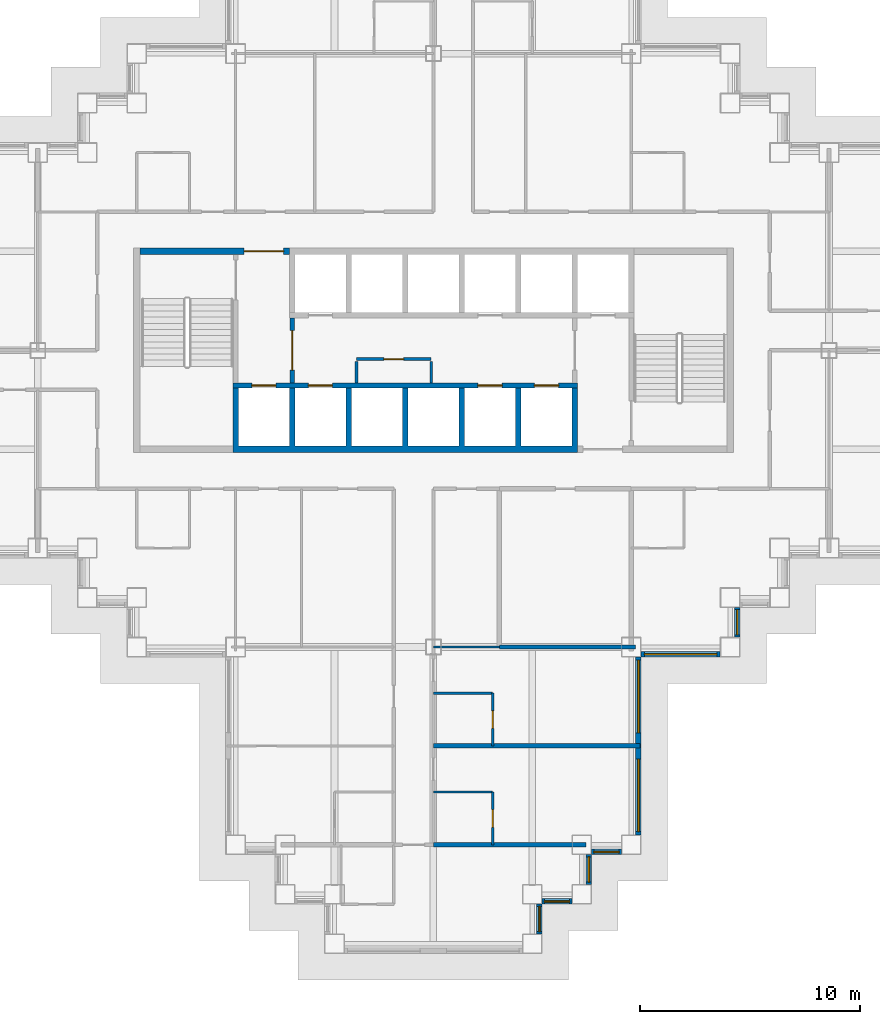
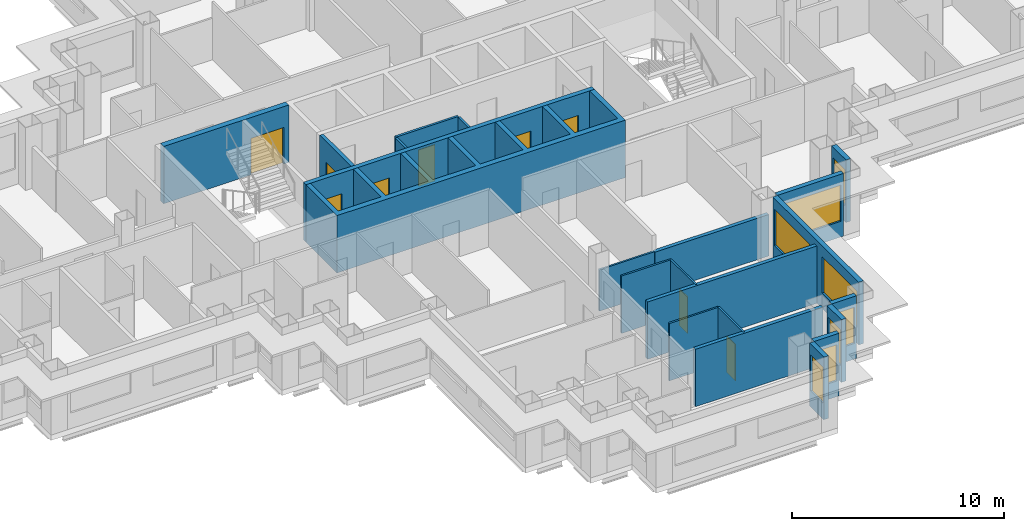
# One storey, part 5 of 15: 22 walls, 9 doors, 8 windows, 17 openings.
"""IFC4 building model written with IfcOpenShell, lengths in metres."""

from ifc_helpers import new_model, si_unit, direction, frame, frame_2d, origin, place, context, subcontext, project, spatial, polyline, rectangle, outline, extrude, material, layer, layer_set, type_object, element, fill, save


model = new_model("IFC4")

# Units and contexts
model_context = context("Model", 3, precision=1e-05, world=origin(), true_north=direction((0.0, 1.0)))
body_context = subcontext(model_context, "Body", "Model", "MODEL_VIEW")
ifc_project = project(units=[si_unit("LENGTHUNIT", "METRE"), si_unit("AREAUNIT", "SQUARE_METRE"), si_unit("VOLUMEUNIT", "CUBIC_METRE"), si_unit("PLANEANGLEUNIT", "RADIAN"), si_unit("MASSUNIT", "GRAM", prefix="KILO")], contexts=[model_context])

# Site, building, storey
site_placement = place(None, origin())
site = spatial("IfcSite", under=ifc_project, at=site_placement, CompositionType="ELEMENT")
building_placement = place(site_placement, origin())
building = spatial("IfcBuilding", under=site, at=building_placement, Name="Caravel Reach Hotel and Residences", CompositionType="ELEMENT")
storey_placement = place(building_placement, frame((0.0, 0.0, 104.39990234375)))
storey = spatial("IfcBuildingStorey", under=building, at=storey_placement, Name="L25", CompositionType="ELEMENT", Elevation=104.39990234375)

# Walls
ifc_material_1 = material(Name="Gypsum board on steel stud", Category="steel")
ifc_layer_1 = layer(ifc_material_1, 0.10009765625)
ifc_layer_set_1 = layer_set([ifc_layer_1], Name="Bathroom pod wall 100 mm")
wall_type_1 = type_object("IfcWallType", Name="Bathroom pod wall 100 mm", PredefinedType="PARTITIONING", material=ifc_layer_set_1)
for number, where, z_axis, x_axis, name in (
    (1, (31.5, 11.39990234375, 0.0), (0.0, 0.0, 1.0), (1.0, 0.0, 0.0), "L25 wall w082"),
    (2, (31.5, 6.89990234375, 0.0), (0.0, 0.0, 1.0), (1.0, 0.0, 0.0), "L25 wall w096"),
):
    element("IfcWall", number, at=place(storey_placement, frame(where, z_axis=z_axis, x_axis=x_axis)), inside=storey, type_object=wall_type_1, Name=name, PredefinedType="PARTITIONING", context=body_context, shape_type="SweptSolid", body=[
        extrude(rectangle(XDim=2.699951171875, YDim=0.10009765625, at=frame_2d((1.35009765625, 0.0))), origin(), (0.0, 0.0, 1.0), 3.300048828125),
    ])

# Wall, opening, door
wall_1_placement = place(storey_placement, frame((34.199951171875, 9.0, 0.0), z_axis=(0.0, 0.0, 1.0), x_axis=(0.0, 1.0, 0.0)))
wall_1 = element("IfcWall", 3, at=wall_1_placement, inside=storey, type_object=wall_type_1, Name="L25 wall w108", PredefinedType="PARTITIONING", context=body_context, shape_type="SweptSolid", body=[
    extrude(rectangle(XDim=2.39990234375, YDim=0.10009765625, at=frame_2d((1.199951171875, 0.0))), origin(), (0.0, 0.0, 1.0), 3.300048828125),
])
opening_1_placement = place(wall_1_placement, frame((0.800048828125, 0.0, 0.0)))
opening_1 = element("IfcOpeningElement", 4, at=opening_1_placement, cuts=wall_1, Name="Opening D25-036", PredefinedType="OPENING", context=body_context, shape_type="SweptSolid", body=[
    extrude(rectangle(XDim=0.800048828125, YDim=2.10009765625, at=frame_2d((0.39990234375, 1.050048828125))), frame((0.0, 0.06005859375, 0.0), z_axis=(0.0, -1.0, 0.0), x_axis=(1.0, 0.0, 0.0)), (0.0, 0.0, 1.0), 0.1201171875),
])
ifc_material_2 = material(Name="Timber and steel door leaf", Category="steel")
door_type_1 = type_object("IfcDoorType", Name="Bathroom door 800 x 2100", OperationType="SINGLE_SWING_LEFT", PredefinedType="DOOR", material=ifc_material_2)
door_1_placement = place(opening_1_placement, origin())
door_1 = element("IfcDoor", 5, at=door_1_placement, inside=storey, type_object=door_type_1, Name="door D25-036", OperationType="SINGLE_SWING_LEFT", OverallHeight=2.10009765625, OverallWidth=0.800048828125, PredefinedType="DOOR", context=body_context, shape_type="SweptSolid", body=[
    extrude(rectangle(XDim=0.800048828125, YDim=2.10009765625, at=frame_2d((0.39990234375, 1.050048828125))), frame((0.0, 0.02490234375, 0.0), z_axis=(0.0, -1.0, 0.0), x_axis=(1.0, 0.0, 0.0)), (0.0, 0.0, 1.0), 0.050048828125),
])
fill(opening_1, door_1)

wall_2_placement = place(storey_placement, frame((34.199951171875, 4.5, 0.0), z_axis=(0.0, 0.0, 1.0), x_axis=(0.0, 1.0, 0.0)))
wall_2 = element("IfcWall", 6, at=wall_2_placement, inside=storey, type_object=wall_type_1, Name="L25 wall w109", PredefinedType="PARTITIONING", context=body_context, shape_type="SweptSolid", body=[
    extrude(rectangle(XDim=2.39990234375, YDim=0.10009765625, at=frame_2d((1.199951171875, 0.0))), origin(), (0.0, 0.0, 1.0), 3.300048828125),
])
opening_2_placement = place(wall_2_placement, frame((0.800048828125, 0.0, 0.0)))
opening_2 = element("IfcOpeningElement", 7, at=opening_2_placement, cuts=wall_2, Name="Opening D25-038", PredefinedType="OPENING", context=body_context, shape_type="SweptSolid", body=[
    extrude(rectangle(XDim=0.800048828125, YDim=2.10009765625, at=frame_2d((0.39990234375, 1.050048828125))), frame((0.0, 0.06005859375, 0.0), z_axis=(0.0, -1.0, 0.0), x_axis=(1.0, 0.0, 0.0)), (0.0, 0.0, 1.0), 0.1201171875),
])
door_2_placement = place(opening_2_placement, origin())
door_2 = element("IfcDoor", 8, at=door_2_placement, inside=storey, type_object=door_type_1, Name="door D25-038", OperationType="SINGLE_SWING_RIGHT", OverallHeight=2.10009765625, OverallWidth=0.800048828125, PredefinedType="DOOR", context=body_context, shape_type="SweptSolid", body=[
    extrude(rectangle(XDim=0.800048828125, YDim=2.10009765625, at=frame_2d((0.39990234375, 1.050048828125))), frame((0.0, 0.02490234375, 0.0), z_axis=(0.0, -1.0, 0.0), x_axis=(1.0, 0.0, 0.0)), (0.0, 0.0, 1.0), 0.050048828125),
])
fill(opening_2, door_2)

# Wall
ifc_material_3 = material(Name="Autoclaved aerated block wall")
ifc_layer_2 = layer(ifc_material_3, 0.199951171875)
ifc_layer_set_2 = layer_set([ifc_layer_2], Name="Compartment wall 200 mm EI 120")
wall_type_2 = type_object("IfcWallType", Name="Compartment wall 200 mm EI 120", PredefinedType="PARTITIONING", material=ifc_layer_set_2)
wall_3_placement = place(storey_placement, frame((34.5, 13.5, 0.0), z_axis=(0.0, 0.0, 1.0), x_axis=(1.0, 0.0, 0.0)))
element("IfcWall", 9, at=wall_3_placement, inside=storey, type_object=wall_type_2, Name="L25 wall w117", PredefinedType="PARTITIONING", context=body_context, shape_type="SweptSolid", body=[
    extrude(rectangle(XDim=6.18994140625, YDim=0.199951171875, at=frame_2d((3.094970703125, 0.0))), origin(), (0.0, 0.0, 1.0), 2.380126953125),
])

# Wall, opening, door
ifc_material_4 = material(Name="Concrete C60", Category="concrete")
ifc_layer_3 = layer(ifc_material_4, 0.300048828125)
ifc_layer_set_3 = layer_set([ifc_layer_3], Name="Core wall 300 mm EI 120")
wall_type_3 = type_object("IfcWallType", Name="Core wall 300 mm EI 120", PredefinedType="SHEAR", material=ifc_layer_set_3)
wall_4_placement = place(storey_placement, frame((18.14990234375, 31.5, 0.0), z_axis=(0.0, 0.0, 1.0), x_axis=(1.0, 0.0, 0.0)))
wall_4 = element("IfcWall", 10, at=wall_4_placement, inside=storey, type_object=wall_type_3, Name="L25 core wall N1", PredefinedType="SHEAR", context=body_context, shape_type="SweptSolid", body=[
    extrude(rectangle(XDim=6.796630859375, YDim=0.300048828125, at=frame_2d((3.3984375, 0.0))), origin(), (0.0, 0.0, 1.0), 3.300048828125),
])
opening_3_placement = place(wall_4_placement, frame((4.735595703125, 0.0, 0.0)))
opening_3 = element("IfcOpeningElement", 11, at=opening_3_placement, cuts=wall_4, Name="Opening D25-013", PredefinedType="OPENING", context=body_context, shape_type="SweptSolid", body=[
    extrude(rectangle(XDim=1.800048828125, YDim=2.10009765625, at=frame_2d((0.89990234375, 1.050048828125))), frame((0.0, 0.159912109375, 0.0), z_axis=(0.0, -1.0, 0.0), x_axis=(1.0, 0.0, 0.0)), (0.0, 0.0, 1.0), 0.320068359375),
])
ifc_material_5 = material(Name="Steel fire door leaf", Category="steel")
door_type_2 = type_object("IfcDoorType", Name="Fire lobby door pair 1800 x 2100 EI 90", OperationType="DOUBLE_DOOR_SINGLE_SWING", PredefinedType="DOOR", material=ifc_material_5)
door_3_placement = place(opening_3_placement, origin())
door_3 = element("IfcDoor", 12, at=door_3_placement, inside=storey, type_object=door_type_2, Name="lobby N door pair to corridor", OperationType="DOUBLE_DOOR_SINGLE_SWING", OverallHeight=2.10009765625, OverallWidth=1.800048828125, PredefinedType="DOOR", context=body_context, shape_type="SweptSolid", body=[
    extrude(rectangle(XDim=1.800048828125, YDim=2.10009765625, at=frame_2d((0.89990234375, 1.050048828125))), frame((0.0, 0.02490234375, 0.0), z_axis=(0.0, -1.0, 0.0), x_axis=(1.0, 0.0, 0.0)), (0.0, 0.0, 1.0), 0.050048828125),
])
fill(opening_3, door_3)

# Wall, opening, window
ifc_material_6 = material(Name="Insulated rainscreen wall, aluminium cladding", Category="aluminium")
ifc_layer_4 = layer(ifc_material_6, 0.25)
ifc_layer_set_4 = layer_set([ifc_layer_4], Name="EW1 Tower rainscreen wall")
wall_type_4 = type_object("IfcWallType", Name="EW1 Tower rainscreen wall", PredefinedType="SOLIDWALL", material=ifc_layer_set_4)
wall_5_placement = place(storey_placement, frame((36.324951171875, 0.449951171875, 0.0), z_axis=(0.0, 0.0, 1.0), x_axis=(0.0, 1.0, 0.0)))
wall_5 = element("IfcWall", 13, at=wall_5_placement, inside=storey, type_object=wall_type_4, Name="External wall L25 E6.1", PredefinedType="SOLIDWALL", context=body_context, shape_type="SweptSolid", body=[
    extrude(rectangle(XDim=1.35009765625, YDim=0.25, at=frame_2d((0.675048828125, 0.0))), origin(), (0.0, 0.0, 1.0), 3.60009765625),
])
opening_4_placement = place(wall_5_placement, frame((0.10009765625, 0.0, 0.89990234375)))
opening_4 = element("IfcOpeningElement", 14, at=opening_4_placement, cuts=wall_5, Name="Opening WN8", PredefinedType="OPENING", context=body_context, shape_type="SweptSolid", body=[
    extrude(rectangle(XDim=1.14990234375, YDim=2.080078125, at=frame_2d((0.574951171875, 1.0400390625))), frame((0.0, 0.135009765625, 0.0), z_axis=(0.0, -1.0, 0.0), x_axis=(1.0, 0.0, 0.0)), (0.0, 0.0, 1.0), 0.27001953125),
])
ifc_material_7 = material(Name="Dark low-e glazing in black aluminium frame", Category="aluminium")
window_type_1 = type_object("IfcWindowType", Name="Hotel suite corner window 1150 x 2080", PartitioningType="SINGLE_PANEL", PredefinedType="WINDOW", material=ifc_material_7)
window_1_placement = place(opening_4_placement, origin())
window_1 = element("IfcWindow", 15, at=window_1_placement, inside=storey, type_object=window_type_1, Name="Window L25 E6.1.1", OverallHeight=2.080078125, OverallWidth=1.14990234375, PartitioningType="SINGLE_PANEL", PredefinedType="WINDOW", context=body_context, shape_type="SweptSolid", body=[
    extrude(rectangle(XDim=1.14990234375, YDim=2.080078125, at=frame_2d((0.574951171875, 1.0400390625))), frame((0.0, 0.030029296875, 0.0), z_axis=(0.0, -1.0, 0.0), x_axis=(1.0, 0.0, 0.0)), (0.0, 0.0, 1.0), 0.06005859375),
])
fill(opening_4, window_1)

wall_6_placement = place(storey_placement, frame((36.449951171875, 1.925048828125, 0.0), z_axis=(0.0, 0.0, 1.0), x_axis=(1.0, 0.0, 0.0)))
wall_6 = element("IfcWall", 16, at=wall_6_placement, inside=storey, type_object=wall_type_4, Name="External wall L25 S7.1", PredefinedType="SOLIDWALL", context=body_context, shape_type="SweptSolid", body=[
    extrude(rectangle(XDim=1.35009765625, YDim=0.25, at=frame_2d((0.675048828125, 0.0))), origin(), (0.0, 0.0, 1.0), 3.60009765625),
])
opening_5_placement = place(wall_6_placement, frame((0.10009765625, 0.0, 0.89990234375)))
opening_5 = element("IfcOpeningElement", 17, at=opening_5_placement, cuts=wall_6, Name="Opening WN8", PredefinedType="OPENING", context=body_context, shape_type="SweptSolid", body=[
    extrude(rectangle(XDim=1.14990234375, YDim=2.080078125, at=frame_2d((0.574951171875, 1.0400390625))), frame((0.0, 0.135009765625, 0.0), z_axis=(0.0, -1.0, 0.0), x_axis=(1.0, 0.0, 0.0)), (0.0, 0.0, 1.0), 0.27001953125),
])
window_2_placement = place(opening_5_placement, origin())
window_2 = element("IfcWindow", 18, at=window_2_placement, inside=storey, type_object=window_type_1, Name="Window L25 S7.1.1", OverallHeight=2.080078125, OverallWidth=1.14990234375, PartitioningType="SINGLE_PANEL", PredefinedType="WINDOW", context=body_context, shape_type="SweptSolid", body=[
    extrude(rectangle(XDim=1.14990234375, YDim=2.080078125, at=frame_2d((0.574951171875, 1.0400390625))), frame((0.0, 0.030029296875, 0.0), z_axis=(0.0, -1.0, 0.0), x_axis=(1.0, 0.0, 0.0)), (0.0, 0.0, 1.0), 0.06005859375),
])
fill(opening_5, window_2)

wall_7_placement = place(storey_placement, frame((38.574951171875, 2.699951171875, 0.0), z_axis=(0.0, 0.0, 1.0), x_axis=(0.0, 1.0, 0.0)))
wall_7 = element("IfcWall", 19, at=wall_7_placement, inside=storey, type_object=wall_type_4, Name="External wall L25 E8.1", PredefinedType="SOLIDWALL", context=body_context, shape_type="SweptSolid", body=[
    extrude(rectangle(XDim=1.35009765625, YDim=0.25, at=frame_2d((0.675048828125, 0.0))), origin(), (0.0, 0.0, 1.0), 3.60009765625),
])
opening_6_placement = place(wall_7_placement, frame((0.10009765625, 0.0, 0.89990234375)))
opening_6 = element("IfcOpeningElement", 20, at=opening_6_placement, cuts=wall_7, Name="Opening WN8", PredefinedType="OPENING", context=body_context, shape_type="SweptSolid", body=[
    extrude(rectangle(XDim=1.14990234375, YDim=2.080078125, at=frame_2d((0.574951171875, 1.0400390625))), frame((0.0, 0.135009765625, 0.0), z_axis=(0.0, -1.0, 0.0), x_axis=(1.0, 0.0, 0.0)), (0.0, 0.0, 1.0), 0.27001953125),
])
window_3_placement = place(opening_6_placement, origin())
window_3 = element("IfcWindow", 21, at=window_3_placement, inside=storey, type_object=window_type_1, Name="Window L25 E8.1.1", OverallHeight=2.080078125, OverallWidth=1.14990234375, PartitioningType="SINGLE_PANEL", PredefinedType="WINDOW", context=body_context, shape_type="SweptSolid", body=[
    extrude(rectangle(XDim=1.14990234375, YDim=2.080078125, at=frame_2d((0.574951171875, 1.0400390625))), frame((0.0, 0.030029296875, 0.0), z_axis=(0.0, -1.0, 0.0), x_axis=(1.0, 0.0, 0.0)), (0.0, 0.0, 1.0), 0.06005859375),
])
fill(opening_6, window_3)

wall_8_placement = place(storey_placement, frame((38.699951171875, 4.175048828125, 0.0), z_axis=(0.0, 0.0, 1.0), x_axis=(1.0, 0.0, 0.0)))
wall_8 = element("IfcWall", 22, at=wall_8_placement, inside=storey, type_object=wall_type_4, Name="External wall L25 S9.1", PredefinedType="SOLIDWALL", context=body_context, shape_type="SweptSolid", body=[
    extrude(rectangle(XDim=1.35009765625, YDim=0.25, at=frame_2d((0.675048828125, 0.0))), origin(), (0.0, 0.0, 1.0), 3.60009765625),
])
opening_7_placement = place(wall_8_placement, frame((0.10009765625, 0.0, 0.89990234375)))
opening_7 = element("IfcOpeningElement", 23, at=opening_7_placement, cuts=wall_8, Name="Opening WN8", PredefinedType="OPENING", context=body_context, shape_type="SweptSolid", body=[
    extrude(rectangle(XDim=1.14990234375, YDim=2.080078125, at=frame_2d((0.574951171875, 1.0400390625))), frame((0.0, 0.135009765625, 0.0), z_axis=(0.0, -1.0, 0.0), x_axis=(1.0, 0.0, 0.0)), (0.0, 0.0, 1.0), 0.27001953125),
])
window_4_placement = place(opening_7_placement, origin())
window_4 = element("IfcWindow", 24, at=window_4_placement, inside=storey, type_object=window_type_1, Name="Window L25 S9.1.1", OverallHeight=2.080078125, OverallWidth=1.14990234375, PartitioningType="SINGLE_PANEL", PredefinedType="WINDOW", context=body_context, shape_type="SweptSolid", body=[
    extrude(rectangle(XDim=1.14990234375, YDim=2.080078125, at=frame_2d((0.574951171875, 1.0400390625))), frame((0.0, 0.030029296875, 0.0), z_axis=(0.0, -1.0, 0.0), x_axis=(1.0, 0.0, 0.0)), (0.0, 0.0, 1.0), 0.06005859375),
])
fill(opening_7, window_4)

# Wall, openings, windows
wall_9_placement = place(storey_placement, frame((40.824951171875, 4.949951171875, 0.0), z_axis=(0.0, 0.0, 1.0), x_axis=(0.0, 1.0, 0.0)))
wall_9 = element("IfcWall", 25, at=wall_9_placement, inside=storey, type_object=wall_type_4, Name="External wall L25 E10.1", PredefinedType="SOLIDWALL", context=body_context, shape_type="SweptSolid", body=[
    extrude(rectangle(XDim=8.10009765625, YDim=0.25, at=frame_2d((4.050048828125, 0.0))), origin(), (0.0, 0.0, 1.0), 3.60009765625),
])
opening_8_placement = place(wall_9_placement, frame((0.14990234375, 0.0, 0.89990234375)))
opening_8 = element("IfcOpeningElement", 26, at=opening_8_placement, cuts=wall_9, Name="Opening WN4", PredefinedType="OPENING", context=body_context, shape_type="SweptSolid", body=[
    extrude(rectangle(XDim=3.300048828125, YDim=2.080078125, at=frame_2d((1.64990234375, 1.0400390625))), frame((0.0, 0.135009765625, 0.0), z_axis=(0.0, -1.0, 0.0), x_axis=(1.0, 0.0, 0.0)), (0.0, 0.0, 1.0), 0.27001953125),
])
opening_9_placement = place(wall_9_placement, frame((4.64990234375, 0.0, 0.89990234375)))
opening_9 = element("IfcOpeningElement", 27, at=opening_9_placement, cuts=wall_9, Name="Opening WN4", PredefinedType="OPENING", context=body_context, shape_type="SweptSolid", body=[
    extrude(rectangle(XDim=3.300048828125, YDim=2.080078125, at=frame_2d((1.64990234375, 1.0400390625))), frame((0.0, 0.135009765625, 0.0), z_axis=(0.0, -1.0, 0.0), x_axis=(1.0, 0.0, 0.0)), (0.0, 0.0, 1.0), 0.27001953125),
])
ifc_material_8 = material(Name="Dark low-e glazing in black aluminium frame", Category="aluminium")
window_type_2 = type_object("IfcWindowType", Name="Hotel guest room window 3300 x 2080", PartitioningType="SINGLE_PANEL", PredefinedType="WINDOW", material=ifc_material_8)
window_5_placement = place(opening_8_placement, origin())
window_5 = element("IfcWindow", 28, at=window_5_placement, inside=storey, type_object=window_type_2, Name="Window L25 E10.1.1", OverallHeight=2.080078125, OverallWidth=3.300048828125, PartitioningType="SINGLE_PANEL", PredefinedType="WINDOW", context=body_context, shape_type="SweptSolid", body=[
    extrude(rectangle(XDim=3.300048828125, YDim=2.080078125, at=frame_2d((1.64990234375, 1.0400390625))), frame((0.0, 0.030029296875, 0.0), z_axis=(0.0, -1.0, 0.0), x_axis=(1.0, 0.0, 0.0)), (0.0, 0.0, 1.0), 0.06005859375),
])
fill(opening_8, window_5)
window_6_placement = place(opening_9_placement, origin())
window_6 = element("IfcWindow", 29, at=window_6_placement, inside=storey, type_object=window_type_2, Name="Window L25 E10.1.2", OverallHeight=2.080078125, OverallWidth=3.300048828125, PartitioningType="SINGLE_PANEL", PredefinedType="WINDOW", context=body_context, shape_type="SweptSolid", body=[
    extrude(rectangle(XDim=3.300048828125, YDim=2.080078125, at=frame_2d((1.64990234375, 1.0400390625))), frame((0.0, 0.030029296875, 0.0), z_axis=(0.0, -1.0, 0.0), x_axis=(1.0, 0.0, 0.0)), (0.0, 0.0, 1.0), 0.06005859375),
])
fill(opening_9, window_6)

# Wall, opening, window
wall_10_placement = place(storey_placement, frame((40.949951171875, 13.175048828125, 0.0), z_axis=(0.0, 0.0, 1.0), x_axis=(1.0, 0.0, 0.0)))
wall_10 = element("IfcWall", 30, at=wall_10_placement, inside=storey, type_object=wall_type_4, Name="External wall L25 S11.1", PredefinedType="SOLIDWALL", context=body_context, shape_type="SweptSolid", body=[
    extrude(rectangle(XDim=3.60009765625, YDim=0.25, at=frame_2d((1.800048828125, 0.0))), origin(), (0.0, 0.0, 1.0), 3.60009765625),
])
opening_10_placement = place(wall_10_placement, frame((0.14990234375, 0.0, 0.89990234375)))
opening_10 = element("IfcOpeningElement", 31, at=opening_10_placement, cuts=wall_10, Name="Opening WN4", PredefinedType="OPENING", context=body_context, shape_type="SweptSolid", body=[
    extrude(rectangle(XDim=3.300048828125, YDim=2.080078125, at=frame_2d((1.64990234375, 1.0400390625))), frame((0.0, 0.135009765625, 0.0), z_axis=(0.0, -1.0, 0.0), x_axis=(1.0, 0.0, 0.0)), (0.0, 0.0, 1.0), 0.27001953125),
])
window_7_placement = place(opening_10_placement, origin())
window_7 = element("IfcWindow", 32, at=window_7_placement, inside=storey, type_object=window_type_2, Name="Window L25 S11.1.1", OverallHeight=2.080078125, OverallWidth=3.300048828125, PartitioningType="SINGLE_PANEL", PredefinedType="WINDOW", context=body_context, shape_type="SweptSolid", body=[
    extrude(rectangle(XDim=3.300048828125, YDim=2.080078125, at=frame_2d((1.64990234375, 1.0400390625))), frame((0.0, 0.030029296875, 0.0), z_axis=(0.0, -1.0, 0.0), x_axis=(1.0, 0.0, 0.0)), (0.0, 0.0, 1.0), 0.06005859375),
])
fill(opening_10, window_7)

wall_11_placement = place(storey_placement, frame((45.324951171875, 13.949951171875, 0.0), z_axis=(0.0, 0.0, 1.0), x_axis=(0.0, 1.0, 0.0)))
wall_11 = element("IfcWall", 33, at=wall_11_placement, inside=storey, type_object=wall_type_4, Name="External wall L25 E12.1", PredefinedType="SOLIDWALL", context=body_context, shape_type="SweptSolid", body=[
    extrude(rectangle(XDim=1.35009765625, YDim=0.25, at=frame_2d((0.675048828125, 0.0))), origin(), (0.0, 0.0, 1.0), 3.60009765625),
])
opening_11_placement = place(wall_11_placement, frame((0.10009765625, 0.0, 0.89990234375)))
opening_11 = element("IfcOpeningElement", 34, at=opening_11_placement, cuts=wall_11, Name="Opening WN8", PredefinedType="OPENING", context=body_context, shape_type="SweptSolid", body=[
    extrude(rectangle(XDim=1.14990234375, YDim=2.080078125, at=frame_2d((0.574951171875, 1.0400390625))), frame((0.0, 0.135009765625, 0.0), z_axis=(0.0, -1.0, 0.0), x_axis=(1.0, 0.0, 0.0)), (0.0, 0.0, 1.0), 0.27001953125),
])
window_8_placement = place(opening_11_placement, origin())
window_8 = element("IfcWindow", 35, at=window_8_placement, inside=storey, type_object=window_type_1, Name="Window L25 E12.1.1", OverallHeight=2.080078125, OverallWidth=1.14990234375, PartitioningType="SINGLE_PANEL", PredefinedType="WINDOW", context=body_context, shape_type="SweptSolid", body=[
    extrude(rectangle(XDim=1.14990234375, YDim=2.080078125, at=frame_2d((0.574951171875, 1.0400390625))), frame((0.0, 0.030029296875, 0.0), z_axis=(0.0, -1.0, 0.0), x_axis=(1.0, 0.0, 0.0)), (0.0, 0.0, 1.0), 0.06005859375),
])
fill(opening_11, window_8)

# Wall, opening, door
ifc_material_9 = material(Name="Autoclaved aerated block wall")
ifc_layer_5 = layer(ifc_material_9, 0.199951171875)
ifc_layer_set_5 = layer_set([ifc_layer_5], Name="Fire lobby wall 200 mm EI 120")
wall_type_5 = type_object("IfcWallType", Name="Fire lobby wall 200 mm EI 120", PredefinedType="PARTITIONING", material=ifc_layer_set_5)
wall_12_placement = place(storey_placement, frame((25.071533203125, 25.52490234375, 0.0), z_axis=(0.0, 0.0, 1.0), x_axis=(0.0, 1.0, 0.0)))
wall_12 = element("IfcWall", 36, at=wall_12_placement, inside=storey, type_object=wall_type_5, Name="L25 lobby W wall", PredefinedType="PARTITIONING", context=body_context, shape_type="SweptSolid", body=[
    extrude(rectangle(XDim=2.9501953125, YDim=0.199951171875, at=frame_2d((1.47509765625, 0.0))), origin(), (0.0, 0.0, 1.0), 3.300048828125),
])
opening_12_placement = place(wall_12_placement, frame((0.574951171875, 0.0, 0.0)))
opening_12 = element("IfcOpeningElement", 37, at=opening_12_placement, cuts=wall_12, Name="Opening D25-011", PredefinedType="OPENING", context=body_context, shape_type="SweptSolid", body=[
    extrude(rectangle(XDim=1.800048828125, YDim=2.10009765625, at=frame_2d((0.89990234375, 1.050048828125))), frame((0.0, 0.10986328125, 0.0), z_axis=(0.0, -1.0, 0.0), x_axis=(1.0, 0.0, 0.0)), (0.0, 0.0, 1.0), 0.219970703125),
])
door_4_placement = place(opening_12_placement, origin())
door_4 = element("IfcDoor", 38, at=door_4_placement, inside=storey, type_object=door_type_2, Name="lobby W door pair", OperationType="DOUBLE_DOOR_SINGLE_SWING", OverallHeight=2.10009765625, OverallWidth=1.800048828125, PredefinedType="DOOR", context=body_context, shape_type="SweptSolid", body=[
    extrude(rectangle(XDim=1.800048828125, YDim=2.10009765625, at=frame_2d((0.89990234375, 1.050048828125))), frame((0.0, 0.02490234375, 0.0), z_axis=(0.0, -1.0, 0.0), x_axis=(1.0, 0.0, 0.0)), (0.0, 0.0, 1.0), 0.050048828125),
])
fill(opening_12, door_4)

# Walls
ifc_material_10 = material(Name="Gypsum board on steel stud", Category="steel")
ifc_layer_6 = layer(ifc_material_10, 0.10009765625)
ifc_layer_set_6 = layer_set([ifc_layer_6], Name="Partition 100 mm")
wall_type_6 = type_object("IfcWallType", Name="Partition 100 mm", PredefinedType="PARTITIONING", material=ifc_layer_set_6)
wall_13_placement = place(storey_placement, frame((31.5, 13.5, 0.0), z_axis=(0.0, 0.0, 1.0), x_axis=(1.0, 0.0, 0.0)))
element("IfcWall", 39, at=wall_13_placement, inside=storey, type_object=wall_type_6, Name="L25 wall w042", PredefinedType="PARTITIONING", context=body_context, shape_type="SweptSolid", body=[
    extrude(rectangle(XDim=3.0, YDim=0.10009765625, at=frame_2d((1.5, 0.0))), origin(), (0.0, 0.0, 1.0), 2.380126953125),
])
ifc_material_11 = material(Name="Autoclaved aerated block wall")
ifc_layer_7 = layer(ifc_material_11, 0.199951171875)
ifc_layer_set_7 = layer_set([ifc_layer_7], Name="Party wall 200 mm EI 60")
wall_type_7 = type_object("IfcWallType", Name="Party wall 200 mm EI 60", PredefinedType="PARTITIONING", material=ifc_layer_set_7)
wall_14_placement = place(storey_placement, frame((31.5, 4.5, 0.0), z_axis=(0.0, 0.0, 1.0), x_axis=(1.0, 0.0, 0.0)))
element("IfcWall", 40, at=wall_14_placement, inside=storey, type_object=wall_type_7, Name="L25 wall w071", PredefinedType="PARTITIONING", context=body_context, shape_type="SweptSolid", body=[
    extrude(rectangle(XDim=6.93994140625, YDim=0.199951171875, at=frame_2d((3.469970703125, 0.0))), origin(), (0.0, 0.0, 1.0), 3.300048828125),
])
wall_15_placement = place(storey_placement, frame((31.5, 9.0, 0.0), z_axis=(0.0, 0.0, 1.0), x_axis=(1.0, 0.0, 0.0)))
element("IfcWall", 41, at=wall_15_placement, inside=storey, type_object=wall_type_7, Name="L25 wall w073", PredefinedType="PARTITIONING", context=body_context, shape_type="SweptSolid", body=[
    extrude(rectangle(XDim=9.389892578125, YDim=0.199951171875, at=frame_2d((4.69482421875, 0.0))), origin(), (0.0, 0.0, 1.0), 3.300048828125),
])

# Wall, opening, door
ifc_material_12 = material(Name="Autoclaved aerated block wall")
ifc_layer_8 = layer(ifc_material_12, 0.125)
ifc_layer_set_8 = layer_set([ifc_layer_8], Name="Riser wall 125 mm EI 60")
wall_type_8 = type_object("IfcWallType", Name="Riser wall 125 mm EI 60", PredefinedType="PARTITIONING", material=ifc_layer_set_8)
wall_16_placement = place(storey_placement, frame((28.0, 26.60009765625, 0.0), z_axis=(0.0, 0.0, 1.0), x_axis=(1.0, 0.0, 0.0)))
wall_16 = element("IfcWall", 42, at=wall_16_placement, inside=storey, type_object=wall_type_8, Name="L25 service room wall S1", PredefinedType="PARTITIONING", context=body_context, shape_type="SweptSolid", body=[
    extrude(rectangle(XDim=3.39990234375, YDim=0.125, at=frame_2d((1.699951171875, 0.0))), origin(), (0.0, 0.0, 1.0), 3.300048828125),
])
opening_13_placement = place(wall_16_placement, frame((1.25, 0.0, 0.0)))
opening_13 = element("IfcOpeningElement", 43, at=opening_13_placement, cuts=wall_16, Name="Opening D25-008", PredefinedType="OPENING", context=body_context, shape_type="SweptSolid", body=[
    extrude(rectangle(XDim=0.89990234375, YDim=2.10009765625, at=frame_2d((0.449951171875, 1.050048828125))), frame((0.0, 0.072509765625, 0.0), z_axis=(0.0, -1.0, 0.0), x_axis=(1.0, 0.0, 0.0)), (0.0, 0.0, 1.0), 0.14501953125),
])
ifc_material_13 = material(Name="Steel fire door leaf", Category="steel")
door_type_3 = type_object("IfcDoorType", Name="Riser door 900 x 2100 EI 60", OperationType="SINGLE_SWING_LEFT", PredefinedType="DOOR", material=ifc_material_13)
door_5_placement = place(opening_13_placement, origin())
door_5 = element("IfcDoor", 44, at=door_5_placement, inside=storey, type_object=door_type_3, Name="Linen store door", OperationType="SINGLE_SWING_LEFT", OverallHeight=2.10009765625, OverallWidth=0.89990234375, PredefinedType="DOOR", context=body_context, shape_type="SweptSolid", body=[
    extrude(rectangle(XDim=0.89990234375, YDim=2.10009765625, at=frame_2d((0.449951171875, 1.050048828125))), frame((0.0, 0.02490234375, 0.0), z_axis=(0.0, -1.0, 0.0), x_axis=(1.0, 0.0, 0.0)), (0.0, 0.0, 1.0), 0.050048828125),
])
fill(opening_13, door_5)

# Walls
for number, where, z_axis, x_axis, name in (
    (45, (28.0, 25.52490234375, 0.0), (0.0, 0.0, 1.0), (0.0, 1.0, 0.0), "L25 service room partition S1"),
    (46, (31.39990234375, 25.52490234375, 0.0), (0.0, 0.0, 1.0), (0.0, 1.0, 0.0), "L25 service room partition S1"),
):
    element("IfcWall", number, at=place(storey_placement, frame(where, z_axis=z_axis, x_axis=x_axis)), inside=storey, type_object=wall_type_8, Name=name, PredefinedType="PARTITIONING", context=body_context, shape_type="SweptSolid", body=[
        extrude(rectangle(XDim=0.97509765625, YDim=0.125, at=frame_2d((0.487548828125, 0.0))), origin(), (0.0, 0.0, 1.0), 3.300048828125),
    ])
ifc_material_14 = material(Name="Concrete C60", Category="concrete")
ifc_layer_9 = layer(ifc_material_14, 0.25)
ifc_layer_set_9 = layer_set([ifc_layer_9], Name="Shaft wall 250 mm EI 120")
wall_type_9 = type_object("IfcWallType", Name="Shaft wall 250 mm EI 120", PredefinedType="SHEAR", material=ifc_layer_set_9)
wall_17_placement = place(storey_placement, origin())
element("IfcWall", 47, at=wall_17_placement, inside=storey, type_object=wall_type_9, Name="L25 lift shaft wall S1", PredefinedType="SHEAR", context=body_context, shape_type="SweptSolid", body=[
    extrude(outline(polyline([(22.375, 22.35009765625), (38.053466796875, 22.35009765625), (38.053466796875, 25.27490234375), (37.803466796875, 25.27490234375), (37.803466796875, 22.64990234375), (35.482177734375, 22.64990234375), (35.482177734375, 25.27490234375), (35.232177734375, 25.27490234375), (35.232177734375, 22.64990234375), (32.91064453125, 22.64990234375), (32.91064453125, 25.27490234375), (32.66064453125, 25.27490234375), (32.66064453125, 22.64990234375), (30.33935546875, 22.64990234375), (30.33935546875, 25.27490234375), (30.08935546875, 25.27490234375), (30.08935546875, 22.64990234375), (27.767822265625, 22.64990234375), (27.767822265625, 25.27490234375), (27.517822265625, 25.27490234375), (27.517822265625, 22.64990234375), (25.196533203125, 22.64990234375), (25.196533203125, 25.27490234375), (24.946533203125, 25.27490234375), (24.946533203125, 22.64990234375), (22.625, 22.64990234375), (22.625, 25.27490234375), (22.375, 25.27490234375), (22.375, 22.35009765625)])), origin(), (0.0, 0.0, 1.0), 3.300048828125),
])

# Wall, openings, doors
wall_18_placement = place(storey_placement, frame((22.375, 25.39990234375, 0.0), z_axis=(0.0, 0.0, 1.0), x_axis=(1.0, 0.0, 0.0)))
wall_18 = element("IfcWall", 48, at=wall_18_placement, inside=storey, type_object=wall_type_9, Name="L25 lobby wall S1", PredefinedType="SHEAR", context=body_context, shape_type="SweptSolid", body=[
    extrude(rectangle(XDim=15.678466796875, YDim=0.25, at=frame_2d((7.83935546875, 0.0))), origin(), (0.0, 0.0, 1.0), 3.300048828125),
])
opening_14_placement = place(wall_18_placement, frame((3.43212890625, 0.0, 0.0)))
opening_14 = element("IfcOpeningElement", 49, at=opening_14_placement, cuts=wall_18, Name="Opening D25-001", PredefinedType="OPENING", context=body_context, shape_type="SweptSolid", body=[
    extrude(rectangle(XDim=1.10009765625, YDim=2.10009765625, at=frame_2d((0.550048828125, 1.050048828125))), frame((0.0, 0.135009765625, 0.0), z_axis=(0.0, -1.0, 0.0), x_axis=(1.0, 0.0, 0.0)), (0.0, 0.0, 1.0), 0.27001953125),
])
opening_15_placement = place(wall_18_placement, frame((11.146484375, 0.0, 0.0)))
opening_15 = element("IfcOpeningElement", 50, at=opening_15_placement, cuts=wall_18, Name="Opening D25-002", PredefinedType="OPENING", context=body_context, shape_type="SweptSolid", body=[
    extrude(rectangle(XDim=1.10009765625, YDim=2.10009765625, at=frame_2d((0.550048828125, 1.050048828125))), frame((0.0, 0.135009765625, 0.0), z_axis=(0.0, -1.0, 0.0), x_axis=(1.0, 0.0, 0.0)), (0.0, 0.0, 1.0), 0.27001953125),
])
opening_16_placement = place(wall_18_placement, frame((13.718017578125, 0.0, 0.0)))
opening_16 = element("IfcOpeningElement", 51, at=opening_16_placement, cuts=wall_18, Name="Opening D25-003", PredefinedType="OPENING", context=body_context, shape_type="SweptSolid", body=[
    extrude(rectangle(XDim=1.10009765625, YDim=2.10009765625, at=frame_2d((0.550048828125, 1.050048828125))), frame((0.0, 0.135009765625, 0.0), z_axis=(0.0, -1.0, 0.0), x_axis=(1.0, 0.0, 0.0)), (0.0, 0.0, 1.0), 0.27001953125),
])
opening_17_placement = place(wall_18_placement, frame((0.860595703125, 0.0, 0.0)))
opening_17 = element("IfcOpeningElement", 52, at=opening_17_placement, cuts=wall_18, Name="Opening D25-006", PredefinedType="OPENING", context=body_context, shape_type="SweptSolid", body=[
    extrude(rectangle(XDim=1.10009765625, YDim=2.10009765625, at=frame_2d((0.550048828125, 1.050048828125))), frame((0.0, 0.135009765625, 0.0), z_axis=(0.0, -1.0, 0.0), x_axis=(1.0, 0.0, 0.0)), (0.0, 0.0, 1.0), 0.27001953125),
])
ifc_material_15 = material(Name="Stainless steel landing door", Category="steel")
door_type_4 = type_object("IfcDoorType", Name="Landing door LD 1100 x 2100 sliding", OperationType="DOUBLE_DOOR_SLIDING", PredefinedType="DOOR", material=ifc_material_15)
door_6_placement = place(opening_14_placement, origin())
door_6 = element("IfcDoor", 53, at=door_6_placement, inside=storey, type_object=door_type_4, Name="LP1 landing door", OperationType="DOUBLE_DOOR_SLIDING", OverallHeight=2.10009765625, OverallWidth=1.10009765625, PredefinedType="DOOR", context=body_context, shape_type="SweptSolid", body=[
    extrude(rectangle(XDim=1.10009765625, YDim=2.10009765625, at=frame_2d((0.550048828125, 1.050048828125))), frame((0.0, 0.02490234375, 0.0), z_axis=(0.0, -1.0, 0.0), x_axis=(1.0, 0.0, 0.0)), (0.0, 0.0, 1.0), 0.050048828125),
])
fill(opening_14, door_6)
door_7_placement = place(opening_15_placement, origin())
door_7 = element("IfcDoor", 54, at=door_7_placement, inside=storey, type_object=door_type_4, Name="LP2 landing door", OperationType="DOUBLE_DOOR_SLIDING", OverallHeight=2.10009765625, OverallWidth=1.10009765625, PredefinedType="DOOR", context=body_context, shape_type="SweptSolid", body=[
    extrude(rectangle(XDim=1.10009765625, YDim=2.10009765625, at=frame_2d((0.550048828125, 1.050048828125))), frame((0.0, 0.02490234375, 0.0), z_axis=(0.0, -1.0, 0.0), x_axis=(1.0, 0.0, 0.0)), (0.0, 0.0, 1.0), 0.050048828125),
])
fill(opening_15, door_7)
door_8_placement = place(opening_16_placement, origin())
door_8 = element("IfcDoor", 55, at=door_8_placement, inside=storey, type_object=door_type_4, Name="LP3 landing door", OperationType="DOUBLE_DOOR_SLIDING", OverallHeight=2.10009765625, OverallWidth=1.10009765625, PredefinedType="DOOR", context=body_context, shape_type="SweptSolid", body=[
    extrude(rectangle(XDim=1.10009765625, YDim=2.10009765625, at=frame_2d((0.550048828125, 1.050048828125))), frame((0.0, 0.02490234375, 0.0), z_axis=(0.0, -1.0, 0.0), x_axis=(1.0, 0.0, 0.0)), (0.0, 0.0, 1.0), 0.050048828125),
])
fill(opening_16, door_8)
door_9_placement = place(opening_17_placement, origin())
door_9 = element("IfcDoor", 56, at=door_9_placement, inside=storey, type_object=door_type_4, Name="FL1 landing door", OperationType="DOUBLE_DOOR_SLIDING", OverallHeight=2.10009765625, OverallWidth=1.10009765625, PredefinedType="DOOR", context=body_context, shape_type="SweptSolid", body=[
    extrude(rectangle(XDim=1.10009765625, YDim=2.10009765625, at=frame_2d((0.550048828125, 1.050048828125))), frame((0.0, 0.02490234375, 0.0), z_axis=(0.0, -1.0, 0.0), x_axis=(1.0, 0.0, 0.0)), (0.0, 0.0, 1.0), 0.050048828125),
])
fill(opening_17, door_9)

save(model, "model.ifc")
